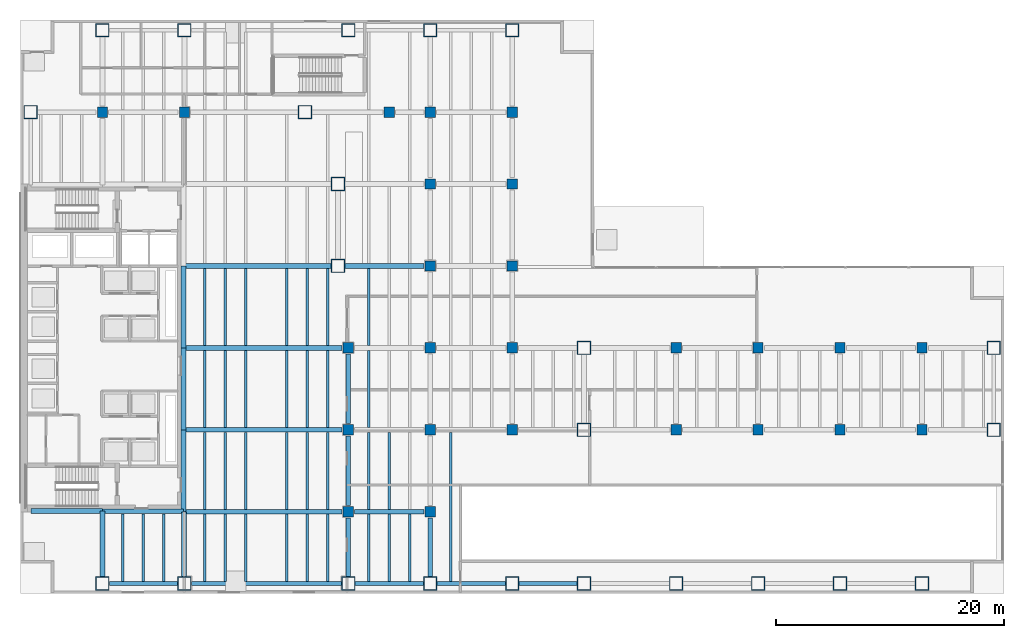
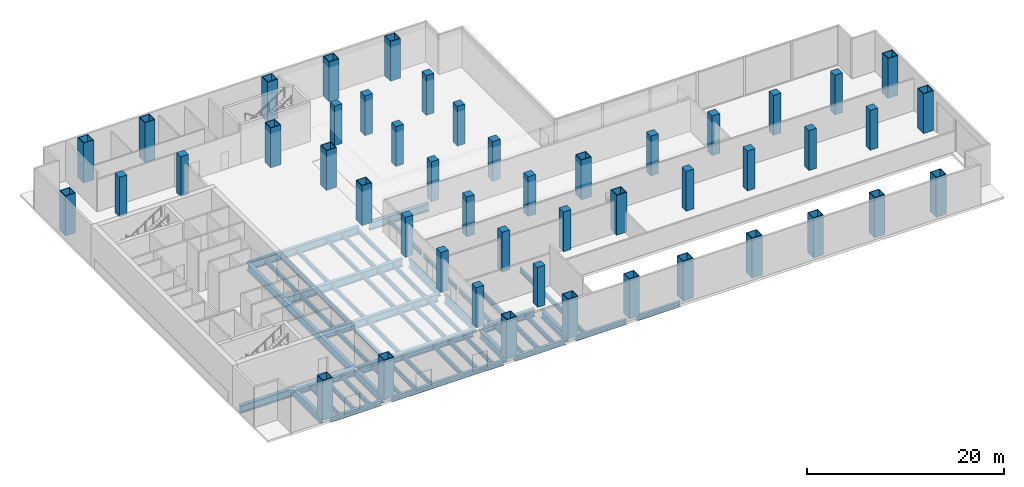
# One storey, part 1 of 17: 57 beams, 48 columns.
"""IFC4 building model written with IfcOpenShell, lengths in metres."""

from ifc_helpers import new_model, si_unit, direction, frame, origin, origin_2d, place, context, subcontext, project, spatial, rectangle, hollow_rectangle, i_section, extrude, material, material_profile, profile_set, type_object, element, save


model = new_model("IFC4")

# Units and contexts
model_context = context("Model", 3, precision=1e-05, world=origin(), true_north=direction((0.0, 1.0)))
body_context = subcontext(model_context, "Body", "Model", "MODEL_VIEW")
ifc_project = project(units=[si_unit("LENGTHUNIT", "METRE"), si_unit("AREAUNIT", "SQUARE_METRE"), si_unit("VOLUMEUNIT", "CUBIC_METRE"), si_unit("PLANEANGLEUNIT", "RADIAN"), si_unit("MASSUNIT", "GRAM", prefix="KILO")], contexts=[model_context])

# Site, building, storey
site_placement = place(None, origin())
site = spatial("IfcSite", under=ifc_project, at=site_placement, CompositionType="ELEMENT")
building_placement = place(site_placement, origin())
building = spatial("IfcBuilding", under=site, at=building_placement, Name="Cobrela Telecom Tower", CompositionType="ELEMENT")
storey_placement = place(building_placement, origin())
storey = spatial("IfcBuildingStorey", under=building, at=storey_placement, Name="L00", CompositionType="ELEMENT", Elevation=0.0)

# Columns
ifc_material_1 = material(Name="Concrete C40/50", Category="concrete")
ifc_material_profile_1 = material_profile(ifc_material_1, rectangle(XDim=0.89990234375, YDim=0.89990234375, at=origin_2d()), Name="RC 900x900")
ifc_profile_set_1 = profile_set([ifc_material_profile_1], Name="Concrete C40/50")
column_type_1 = type_object("IfcColumnType", Name="COL-INT-02", PredefinedType="COLUMN", material=ifc_profile_set_1)
for number, where, z_axis, x_axis, name in (
    (1, (7.199951171875, 42.300048828125, 0.0), (0.0, 0.0, 1.0), (1.0, 0.0, 0.0), "L00 Interior Column 03"),
    (2, (14.39990234375, 42.300048828125, 0.0), (0.0, 0.0, 1.0), (1.0, 0.0, 0.0), "L00 Interior Column 06"),
    (3, (28.800048828125, 7.199951171875, 0.0), (0.0, 0.0, 1.0), (1.0, 0.0, 0.0), "L00 Interior Column 12"),
    (4, (28.800048828125, 14.39990234375, 0.0), (0.0, 0.0, 1.0), (1.0, 0.0, 0.0), "L00 Interior Column 13"),
    (5, (28.800048828125, 21.60009765625, 0.0), (0.0, 0.0, 1.0), (1.0, 0.0, 0.0), "L00 Interior Column 14"),
    (6, (32.39990234375, 42.300048828125, 0.0), (0.0, 0.0, 1.0), (1.0, 0.0, 0.0), "L00 Interior Column 16"),
    (7, (36.0, 7.199951171875, 0.0), (0.0, 0.0, 1.0), (1.0, 0.0, 0.0), "L00 Interior Column 18"),
    (8, (36.0, 14.39990234375, 0.0), (0.0, 0.0, 1.0), (1.0, 0.0, 0.0), "L00 Interior Column 19"),
    (9, (36.0, 21.60009765625, 0.0), (0.0, 0.0, 1.0), (1.0, 0.0, 0.0), "L00 Interior Column 20"),
    (10, (36.0, 28.800048828125, 0.0), (0.0, 0.0, 1.0), (1.0, 0.0, 0.0), "L00 Interior Column 21"),
    (11, (36.0, 36.0, 0.0), (0.0, 0.0, 1.0), (1.0, 0.0, 0.0), "L00 Interior Column 22"),
    (12, (36.0, 42.300048828125, 0.0), (0.0, 0.0, 1.0), (1.0, 0.0, 0.0), "L00 Interior Column 23"),
    (13, (43.199951171875, 14.39990234375, 0.0), (0.0, 0.0, 1.0), (1.0, 0.0, 0.0), "L00 Interior Column 26"),
    (14, (43.199951171875, 21.60009765625, 0.0), (0.0, 0.0, 1.0), (1.0, 0.0, 0.0), "L00 Interior Column 27"),
    (15, (43.199951171875, 28.800048828125, 0.0), (0.0, 0.0, 1.0), (1.0, 0.0, 0.0), "L00 Interior Column 28"),
    (16, (43.199951171875, 36.0, 0.0), (0.0, 0.0, 1.0), (1.0, 0.0, 0.0), "L00 Interior Column 29"),
    (17, (43.199951171875, 42.300048828125, 0.0), (0.0, 0.0, 1.0), (1.0, 0.0, 0.0), "L00 Interior Column 30"),
    (18, (57.60009765625, 14.39990234375, 0.0), (0.0, 0.0, 1.0), (1.0, 0.0, 0.0), "L00 Interior Column 36"),
    (19, (57.60009765625, 21.60009765625, 0.0), (0.0, 0.0, 1.0), (1.0, 0.0, 0.0), "L00 Interior Column 37"),
    (20, (64.800048828125, 14.39990234375, 0.0), (0.0, 0.0, 1.0), (1.0, 0.0, 0.0), "L00 Interior Column 39"),
    (21, (64.800048828125, 21.60009765625, 0.0), (0.0, 0.0, 1.0), (1.0, 0.0, 0.0), "L00 Interior Column 40"),
    (22, (72.0, 14.39990234375, 0.0), (0.0, 0.0, 1.0), (1.0, 0.0, 0.0), "L00 Interior Column 42"),
    (23, (72.0, 21.60009765625, 0.0), (0.0, 0.0, 1.0), (1.0, 0.0, 0.0), "L00 Interior Column 43"),
    (24, (79.199951171875, 14.39990234375, 0.0), (0.0, 0.0, 1.0), (1.0, 0.0, 0.0), "L00 Interior Column 45"),
    (25, (79.199951171875, 21.60009765625, 0.0), (0.0, 0.0, 1.0), (1.0, 0.0, 0.0), "L00 Interior Column 46"),
):
    element("IfcColumn", number, at=place(storey_placement, frame(where, z_axis=z_axis, x_axis=x_axis)), inside=storey, type_object=column_type_1, Name=name, PredefinedType="COLUMN", context=body_context, shape_type="SweptSolid", body=[
        extrude(rectangle(XDim=0.89990234375, YDim=0.89990234375, at=origin_2d()), origin(), (0.0, 0.0, 1.0), 4.949951171875),
    ])
ifc_material_2 = material(Name="Steel ASTM A572 Grade 50", Category="steel")
ifc_material_profile_2 = material_profile(ifc_material_2, hollow_rectangle(XDim=1.199951171875, YDim=1.199951171875, WallThickness=0.074951171875, at=origin_2d()), Name="BOX 1200x1200x75")
ifc_profile_set_2 = profile_set([ifc_material_profile_2], Name="Steel ASTM A572 Grade 50")
column_type_2 = type_object("IfcColumnType", Name="COL-MEGA-01", PredefinedType="COLUMN", material=ifc_profile_set_2)
for number, where, z_axis, x_axis, name in (
    (26, (0.89990234375, 42.300048828125, 0.0), (0.0, 0.0, 1.0), (1.0, 0.0, 0.0), "L00 Perimeter Mega-Column 01"),
    (27, (7.199951171875, 0.89990234375, 0.0), (0.0, 0.0, 1.0), (1.0, 0.0, 0.0), "L00 Perimeter Mega-Column 02"),
    (28, (7.199951171875, 49.5, 0.0), (0.0, 0.0, 1.0), (1.0, 0.0, 0.0), "L00 Perimeter Mega-Column 04"),
    (29, (14.39990234375, 0.89990234375, 0.0), (0.0, 0.0, 1.0), (1.0, 0.0, 0.0), "L00 Perimeter Mega-Column 05"),
    (30, (14.39990234375, 49.5, 0.0), (0.0, 0.0, 1.0), (1.0, 0.0, 0.0), "L00 Perimeter Mega-Column 07"),
    (31, (25.0, 42.300048828125, 0.0), (0.0, 0.0, 1.0), (1.0, 0.0, 0.0), "L00 Perimeter Mega-Column 08"),
    (32, (27.89990234375, 28.800048828125, 0.0), (0.0, 0.0, 1.0), (1.0, 0.0, 0.0), "L00 Perimeter Mega-Column 09"),
    (33, (27.89990234375, 36.0, 0.0), (0.0, 0.0, 1.0), (1.0, 0.0, 0.0), "L00 Perimeter Mega-Column 10"),
    (34, (28.800048828125, 0.89990234375, 0.0), (0.0, 0.0, 1.0), (1.0, 0.0, 0.0), "L00 Perimeter Mega-Column 11"),
    (35, (28.800048828125, 49.5, 0.0), (0.0, 0.0, 1.0), (1.0, 0.0, 0.0), "L00 Perimeter Mega-Column 15"),
    (36, (36.0, 0.89990234375, 0.0), (0.0, 0.0, 1.0), (1.0, 0.0, 0.0), "L00 Perimeter Mega-Column 17"),
    (37, (36.0, 49.5, 0.0), (0.0, 0.0, 1.0), (1.0, 0.0, 0.0), "L00 Perimeter Mega-Column 24"),
    (38, (43.199951171875, 0.89990234375, 0.0), (0.0, 0.0, 1.0), (1.0, 0.0, 0.0), "L00 Perimeter Mega-Column 25"),
    (39, (43.199951171875, 49.5, 0.0), (0.0, 0.0, 1.0), (1.0, 0.0, 0.0), "L00 Perimeter Mega-Column 31"),
    (40, (49.5, 0.89990234375, 0.0), (0.0, 0.0, 1.0), (1.0, 0.0, 0.0), "L00 Perimeter Mega-Column 32"),
    (41, (49.5, 14.39990234375, 0.0), (0.0, 0.0, 1.0), (1.0, 0.0, 0.0), "L00 Perimeter Mega-Column 33"),
    (42, (49.5, 21.60009765625, 0.0), (0.0, 0.0, 1.0), (1.0, 0.0, 0.0), "L00 Perimeter Mega-Column 34"),
    (43, (57.60009765625, 0.89990234375, 0.0), (0.0, 0.0, 1.0), (1.0, 0.0, 0.0), "L00 Perimeter Mega-Column 35"),
    (44, (64.800048828125, 0.89990234375, 0.0), (0.0, 0.0, 1.0), (1.0, 0.0, 0.0), "L00 Perimeter Mega-Column 38"),
    (45, (72.0, 0.89990234375, 0.0), (0.0, 0.0, 1.0), (1.0, 0.0, 0.0), "L00 Perimeter Mega-Column 41"),
    (46, (79.199951171875, 0.89990234375, 0.0), (0.0, 0.0, 1.0), (1.0, 0.0, 0.0), "L00 Perimeter Mega-Column 44"),
    (47, (85.5, 14.39990234375, 0.0), (0.0, 0.0, 1.0), (1.0, 0.0, 0.0), "L00 Perimeter Mega-Column 47"),
    (48, (85.5, 21.60009765625, 0.0), (0.0, 0.0, 1.0), (1.0, 0.0, 0.0), "L00 Perimeter Mega-Column 48"),
):
    element("IfcColumn", number, at=place(storey_placement, frame(where, z_axis=z_axis, x_axis=x_axis)), inside=storey, type_object=column_type_2, Name=name, PredefinedType="COLUMN", context=body_context, shape_type="SweptSolid", body=[
        extrude(hollow_rectangle(XDim=1.199951171875, YDim=1.199951171875, WallThickness=0.074951171875, at=origin_2d()), origin(), (0.0, 0.0, 1.0), 4.949951171875),
    ])

# Beams
ifc_material_3 = material(Name="Steel ASTM A992 Grade 50", Category="steel")
ifc_material_profile_3 = material_profile(ifc_material_3, i_section(OverallWidth=0.424072265625, OverallDepth=0.947021484375, WebThickness=0.02392578125, FlangeThickness=0.042724609375, FilletRadius=0.02392578125, at=origin_2d()), Name="W36X302")
ifc_profile_set_3 = profile_set([ifc_material_profile_3], Name="Steel ASTM A992 Grade 50")
beam_type_1 = type_object("IfcBeamType", Name="BM-GIRD-01", PredefinedType="USERDEFINED", material=ifc_profile_set_3)
beam_1_placement = place(storey_placement, frame((0.905029296875, 7.280029296875, -0.7734375), z_axis=(1.0, 0.0, 0.0), x_axis=(0.0, 1.0, 0.0)))
element("IfcBeam", 49, at=beam_1_placement, inside=storey, type_object=beam_type_1, Name="L00 Primary Girder X10", ObjectType="GIRDER", PredefinedType="USERDEFINED", context=body_context, shape_type="SweptSolid", body=[
    extrude(i_section(OverallWidth=0.424072265625, OverallDepth=0.947021484375, WebThickness=0.02392578125, FlangeThickness=0.042724609375, FilletRadius=0.02392578125, at=origin_2d()), origin(), (0.0, 0.0, 1.0), 6.2900390625),
])
beam_2_placement = place(storey_placement, frame((7.205078125, 7.239990234375, -0.7734375), z_axis=(1.0, 0.0, 0.0), x_axis=(0.0, 1.0, 0.0)))
element("IfcBeam", 50, at=beam_2_placement, inside=storey, type_object=beam_type_1, Name="L00 Primary Girder X11", ObjectType="GIRDER", PredefinedType="USERDEFINED", context=body_context, shape_type="SweptSolid", body=[
    extrude(i_section(OverallWidth=0.424072265625, OverallDepth=0.947021484375, WebThickness=0.02392578125, FlangeThickness=0.042724609375, FilletRadius=0.02392578125, at=origin_2d()), origin(), (0.0, 0.0, 1.0), 7.10986328125),
])
beam_3_placement = place(storey_placement, frame((14.324951171875, 7.199951171875, -0.7734375), z_axis=(1.0, 0.0, 0.0), x_axis=(0.0, 1.0, 0.0)))
element("IfcBeam", 51, at=beam_3_placement, inside=storey, type_object=beam_type_1, Name="L00 Primary Girder X12", ObjectType="GIRDER", PredefinedType="USERDEFINED", context=body_context, shape_type="SweptSolid", body=[
    extrude(i_section(OverallWidth=0.424072265625, OverallDepth=0.947021484375, WebThickness=0.02392578125, FlangeThickness=0.042724609375, FilletRadius=0.02392578125, at=origin_2d()), origin(), (0.0, 0.0, 1.0), 13.920166015625),
])
beam_4_placement = place(storey_placement, frame((29.35498046875, 7.199951171875, -0.7734375), z_axis=(1.0, 0.0, 0.0), x_axis=(0.0, 1.0, 0.0)))
element("IfcBeam", 52, at=beam_4_placement, inside=storey, type_object=beam_type_1, Name="L00 Primary Girder X13", ObjectType="GIRDER", PredefinedType="USERDEFINED", context=body_context, shape_type="SweptSolid", body=[
    extrude(i_section(OverallWidth=0.424072265625, OverallDepth=0.947021484375, WebThickness=0.02392578125, FlangeThickness=0.042724609375, FilletRadius=0.02392578125, at=origin_2d()), origin(), (0.0, 0.0, 1.0), 6.090087890625),
])
for number, where, z_axis, x_axis, name in (
    (53, (14.324951171875, 14.39990234375, -0.7734375), (1.0, 0.0, 0.0), (0.0, 1.0, 0.0), "L00 Primary Girder X14"),
    (54, (14.324951171875, 21.60009765625, -0.7734375), (1.0, 0.0, 0.0), (0.0, 1.0, 0.0), "L00 Primary Girder X23"),
):
    element("IfcBeam", number, at=place(storey_placement, frame(where, z_axis=z_axis, x_axis=x_axis)), inside=storey, type_object=beam_type_1, Name=name, ObjectType="GIRDER", PredefinedType="USERDEFINED", context=body_context, shape_type="SweptSolid", body=[
        extrude(i_section(OverallWidth=0.424072265625, OverallDepth=0.947021484375, WebThickness=0.02392578125, FlangeThickness=0.042724609375, FilletRadius=0.02392578125, at=origin_2d()), origin(), (0.0, 0.0, 1.0), 13.920166015625),
    ])
beam_5_placement = place(storey_placement, frame((14.324951171875, 28.800048828125, -0.7734375), z_axis=(1.0, 0.0, 0.0), x_axis=(0.0, 1.0, 0.0)))
element("IfcBeam", 55, at=beam_5_placement, inside=storey, type_object=beam_type_1, Name="L00 Primary Girder X32", ObjectType="GIRDER", PredefinedType="USERDEFINED", context=body_context, shape_type="SweptSolid", body=[
    extrude(i_section(OverallWidth=0.424072265625, OverallDepth=0.947021484375, WebThickness=0.02392578125, FlangeThickness=0.042724609375, FilletRadius=0.02392578125, at=origin_2d()), origin(), (0.0, 0.0, 1.0), 12.969970703125),
])
beam_6_placement = place(storey_placement, frame((28.5048828125, 28.800048828125, -0.7734375), z_axis=(1.0, 0.0, 0.0), x_axis=(0.0, 1.0, 0.0)))
element("IfcBeam", 56, at=beam_6_placement, inside=storey, type_object=beam_type_1, Name="L00 Primary Girder X33", ObjectType="GIRDER", PredefinedType="USERDEFINED", context=body_context, shape_type="SweptSolid", body=[
    extrude(i_section(OverallWidth=0.424072265625, OverallDepth=0.947021484375, WebThickness=0.02392578125, FlangeThickness=0.042724609375, FilletRadius=0.02392578125, at=origin_2d()), origin(), (0.0, 0.0, 1.0), 6.940185546875),
])
beam_7_placement = place(storey_placement, frame((7.199951171875, 1.5048828125, -0.7734375), z_axis=(0.0, 1.0, 0.0), x_axis=(-1.0, 0.0, 0.0)))
element("IfcBeam", 57, at=beam_7_placement, inside=storey, type_object=beam_type_1, Name="L00 Primary Girder Y51", ObjectType="GIRDER", PredefinedType="USERDEFINED", context=body_context, shape_type="SweptSolid", body=[
    extrude(i_section(OverallWidth=0.424072265625, OverallDepth=0.947021484375, WebThickness=0.02392578125, FlangeThickness=0.042724609375, FilletRadius=0.02392578125, at=origin_2d()), origin(), (0.0, 0.0, 1.0), 5.77001953125),
])
beam_8_placement = place(storey_placement, frame((14.360107421875, 1.5048828125, -0.7734375), z_axis=(0.0, 1.0, 0.0), x_axis=(-1.0, 0.0, 0.0)))
element("IfcBeam", 58, at=beam_8_placement, inside=storey, type_object=beam_type_1, Name="L00 Primary Girder Y54", ObjectType="GIRDER", PredefinedType="USERDEFINED", context=body_context, shape_type="SweptSolid", body=[
    extrude(i_section(OverallWidth=0.424072265625, OverallDepth=0.947021484375, WebThickness=0.02392578125, FlangeThickness=0.042724609375, FilletRadius=0.02392578125, at=origin_2d()), origin(), (0.0, 0.0, 1.0), 5.690185546875),
])
for number, where, z_axis, x_axis, name in (
    (59, (14.320068359375, 7.205078125, -0.7734375), (0.0, 1.0, 0.0), (-1.0, 0.0, 0.0), "L00 Primary Girder Y55"),
    (60, (14.320068359375, 14.405029296875, -0.7734375), (0.0, 1.0, 0.0), (-1.0, 0.0, 0.0), "L00 Primary Girder Y56"),
    (61, (14.320068359375, 21.60498046875, -0.7734375), (0.0, 1.0, 0.0), (-1.0, 0.0, 0.0), "L00 Primary Girder Y57"),
):
    element("IfcBeam", number, at=place(storey_placement, frame(where, z_axis=z_axis, x_axis=x_axis)), inside=storey, type_object=beam_type_1, Name=name, ObjectType="GIRDER", PredefinedType="USERDEFINED", context=body_context, shape_type="SweptSolid", body=[
        extrude(i_section(OverallWidth=0.424072265625, OverallDepth=0.947021484375, WebThickness=0.02392578125, FlangeThickness=0.042724609375, FilletRadius=0.02392578125, at=origin_2d()), origin(), (0.0, 0.0, 1.0), 7.18994140625),
    ])
beam_9_placement = place(storey_placement, frame((28.800048828125, 1.5048828125, -0.7734375), z_axis=(0.0, 1.0, 0.0), x_axis=(-1.0, 0.0, 0.0)))
element("IfcBeam", 62, at=beam_9_placement, inside=storey, type_object=beam_type_1, Name="L00 Primary Girder Y62", ObjectType="GIRDER", PredefinedType="USERDEFINED", context=body_context, shape_type="SweptSolid", body=[
    extrude(i_section(OverallWidth=0.424072265625, OverallDepth=0.947021484375, WebThickness=0.02392578125, FlangeThickness=0.042724609375, FilletRadius=0.02392578125, at=origin_2d()), origin(), (0.0, 0.0, 1.0), 5.14013671875),
])
beam_10_placement = place(storey_placement, frame((28.800048828125, 7.7548828125, -0.7734375), z_axis=(0.0, 1.0, 0.0), x_axis=(-1.0, 0.0, 0.0)))
element("IfcBeam", 63, at=beam_10_placement, inside=storey, type_object=beam_type_1, Name="L00 Primary Girder Y63", ObjectType="GIRDER", PredefinedType="USERDEFINED", context=body_context, shape_type="SweptSolid", body=[
    extrude(i_section(OverallWidth=0.424072265625, OverallDepth=0.947021484375, WebThickness=0.02392578125, FlangeThickness=0.042724609375, FilletRadius=0.02392578125, at=origin_2d()), origin(), (0.0, 0.0, 1.0), 6.090087890625),
])
beam_11_placement = place(storey_placement, frame((28.800048828125, 14.955078125, -0.7734375), z_axis=(0.0, 1.0, 0.0), x_axis=(-1.0, 0.0, 0.0)))
element("IfcBeam", 64, at=beam_11_placement, inside=storey, type_object=beam_type_1, Name="L00 Primary Girder Y64", ObjectType="GIRDER", PredefinedType="USERDEFINED", context=body_context, shape_type="SweptSolid", body=[
    extrude(i_section(OverallWidth=0.424072265625, OverallDepth=0.947021484375, WebThickness=0.02392578125, FlangeThickness=0.042724609375, FilletRadius=0.02392578125, at=origin_2d()), origin(), (0.0, 0.0, 1.0), 6.08984375),
])
beam_12_placement = place(storey_placement, frame((36.0, 1.5048828125, -0.7734375), z_axis=(0.0, 1.0, 0.0), x_axis=(-1.0, 0.0, 0.0)))
element("IfcBeam", 65, at=beam_12_placement, inside=storey, type_object=beam_type_1, Name="L00 Primary Girder Y65", ObjectType="GIRDER", PredefinedType="USERDEFINED", context=body_context, shape_type="SweptSolid", body=[
    extrude(i_section(OverallWidth=0.424072265625, OverallDepth=0.947021484375, WebThickness=0.02392578125, FlangeThickness=0.042724609375, FilletRadius=0.02392578125, at=origin_2d()), origin(), (0.0, 0.0, 1.0), 5.14013671875),
])
ifc_material_profile_4 = material_profile(ifc_material_3, i_section(OverallWidth=0.212890625, OverallDepth=0.549072265625, WebThickness=0.0146484375, FlangeThickness=0.023681640625, FilletRadius=0.013916015625, at=origin_2d()), Name="W21X93")
ifc_profile_set_4 = profile_set([ifc_material_profile_4], Name="Steel ASTM A992 Grade 50")
beam_type_2 = type_object("IfcBeamType", Name="BM-JOIST-01", PredefinedType="JOIST", material=ifc_profile_set_4)
for number, where, z_axis, x_axis, name in (
    (66, (9.0, 1.069091796875, -0.574462890625), (0.0, 1.0, 0.0), (-1.0, 0.0, 0.0), "L00 Secondary Composite Floor Beam J04"),
    (67, (10.800048828125, 1.069091796875, -0.574462890625), (0.0, 1.0, 0.0), (-1.0, 0.0, 0.0), "L00 Secondary Composite Floor Beam J07"),
    (68, (12.60009765625, 1.069091796875, -0.574462890625), (0.0, 1.0, 0.0), (-1.0, 0.0, 0.0), "L00 Secondary Composite Floor Beam J10"),
):
    element("IfcBeam", number, at=place(storey_placement, frame(where, z_axis=z_axis, x_axis=x_axis)), inside=storey, type_object=beam_type_2, Name=name, PredefinedType="JOIST", context=body_context, shape_type="SweptSolid", body=[
        extrude(i_section(OverallWidth=0.212890625, OverallDepth=0.549072265625, WebThickness=0.0146484375, FlangeThickness=0.023681640625, FilletRadius=0.013916015625, at=origin_2d()), origin(), (0.0, 0.0, 1.0), 5.953857421875),
    ])
beam_13_placement = place(storey_placement, frame((16.199951171875, 1.069091796875, -0.574462890625), z_axis=(0.0, 1.0, 0.0), x_axis=(-1.0, 0.0, 0.0)))
element("IfcBeam", 69, at=beam_13_placement, inside=storey, type_object=beam_type_2, Name="L00 Secondary Composite Floor Beam J13", PredefinedType="JOIST", context=body_context, shape_type="SweptSolid", body=[
    extrude(i_section(OverallWidth=0.212890625, OverallDepth=0.549072265625, WebThickness=0.0146484375, FlangeThickness=0.023681640625, FilletRadius=0.013916015625, at=origin_2d()), origin(), (0.0, 0.0, 1.0), 5.913818359375),
])
for number, where, z_axis, x_axis, name in (
    (70, (16.199951171875, 7.4169921875, -0.574462890625), (0.0, 1.0, 0.0), (-1.0, 0.0, 0.0), "L00 Secondary Composite Floor Beam J14"),
    (71, (16.199951171875, 14.616943359375, -0.574462890625), (0.0, 1.0, 0.0), (-1.0, 0.0, 0.0), "L00 Secondary Composite Floor Beam J15"),
    (72, (16.199951171875, 21.81689453125, -0.574462890625), (0.0, 1.0, 0.0), (-1.0, 0.0, 0.0), "L00 Secondary Composite Floor Beam J16"),
):
    element("IfcBeam", number, at=place(storey_placement, frame(where, z_axis=z_axis, x_axis=x_axis)), inside=storey, type_object=beam_type_2, Name=name, PredefinedType="JOIST", context=body_context, shape_type="SweptSolid", body=[
        extrude(i_section(OverallWidth=0.212890625, OverallDepth=0.549072265625, WebThickness=0.0146484375, FlangeThickness=0.023681640625, FilletRadius=0.013916015625, at=origin_2d()), origin(), (0.0, 0.0, 1.0), 6.76611328125),
    ])
beam_14_placement = place(storey_placement, frame((18.0, 1.069091796875, -0.574462890625), z_axis=(0.0, 1.0, 0.0), x_axis=(-1.0, 0.0, 0.0)))
element("IfcBeam", 73, at=beam_14_placement, inside=storey, type_object=beam_type_2, Name="L00 Secondary Composite Floor Beam J20", PredefinedType="JOIST", context=body_context, shape_type="SweptSolid", body=[
    extrude(i_section(OverallWidth=0.212890625, OverallDepth=0.549072265625, WebThickness=0.0146484375, FlangeThickness=0.023681640625, FilletRadius=0.013916015625, at=origin_2d()), origin(), (0.0, 0.0, 1.0), 5.913818359375),
])
for number, where, z_axis, x_axis, name in (
    (74, (18.0, 7.4169921875, -0.574462890625), (0.0, 1.0, 0.0), (-1.0, 0.0, 0.0), "L00 Secondary Composite Floor Beam J21"),
    (75, (18.0, 14.616943359375, -0.574462890625), (0.0, 1.0, 0.0), (-1.0, 0.0, 0.0), "L00 Secondary Composite Floor Beam J22"),
    (76, (18.0, 21.81689453125, -0.574462890625), (0.0, 1.0, 0.0), (-1.0, 0.0, 0.0), "L00 Secondary Composite Floor Beam J23"),
):
    element("IfcBeam", number, at=place(storey_placement, frame(where, z_axis=z_axis, x_axis=x_axis)), inside=storey, type_object=beam_type_2, Name=name, PredefinedType="JOIST", context=body_context, shape_type="SweptSolid", body=[
        extrude(i_section(OverallWidth=0.212890625, OverallDepth=0.549072265625, WebThickness=0.0146484375, FlangeThickness=0.023681640625, FilletRadius=0.013916015625, at=origin_2d()), origin(), (0.0, 0.0, 1.0), 6.76611328125),
    ])
beam_15_placement = place(storey_placement, frame((19.800048828125, 1.069091796875, -0.574462890625), z_axis=(0.0, 1.0, 0.0), x_axis=(-1.0, 0.0, 0.0)))
element("IfcBeam", 77, at=beam_15_placement, inside=storey, type_object=beam_type_2, Name="L00 Secondary Composite Floor Beam J27", PredefinedType="JOIST", context=body_context, shape_type="SweptSolid", body=[
    extrude(i_section(OverallWidth=0.212890625, OverallDepth=0.549072265625, WebThickness=0.0146484375, FlangeThickness=0.023681640625, FilletRadius=0.013916015625, at=origin_2d()), origin(), (0.0, 0.0, 1.0), 5.913818359375),
])
for number, where, z_axis, x_axis, name in (
    (78, (19.800048828125, 7.4169921875, -0.574462890625), (0.0, 1.0, 0.0), (-1.0, 0.0, 0.0), "L00 Secondary Composite Floor Beam J28"),
    (79, (19.800048828125, 14.616943359375, -0.574462890625), (0.0, 1.0, 0.0), (-1.0, 0.0, 0.0), "L00 Secondary Composite Floor Beam J29"),
    (80, (19.800048828125, 21.81689453125, -0.574462890625), (0.0, 1.0, 0.0), (-1.0, 0.0, 0.0), "L00 Secondary Composite Floor Beam J30"),
):
    element("IfcBeam", number, at=place(storey_placement, frame(where, z_axis=z_axis, x_axis=x_axis)), inside=storey, type_object=beam_type_2, Name=name, PredefinedType="JOIST", context=body_context, shape_type="SweptSolid", body=[
        extrude(i_section(OverallWidth=0.212890625, OverallDepth=0.549072265625, WebThickness=0.0146484375, FlangeThickness=0.023681640625, FilletRadius=0.013916015625, at=origin_2d()), origin(), (0.0, 0.0, 1.0), 6.76611328125),
    ])
beam_16_placement = place(storey_placement, frame((23.39990234375, 1.069091796875, -0.574462890625), z_axis=(0.0, 1.0, 0.0), x_axis=(-1.0, 0.0, 0.0)))
element("IfcBeam", 81, at=beam_16_placement, inside=storey, type_object=beam_type_2, Name="L00 Secondary Composite Floor Beam J34", PredefinedType="JOIST", context=body_context, shape_type="SweptSolid", body=[
    extrude(i_section(OverallWidth=0.212890625, OverallDepth=0.549072265625, WebThickness=0.0146484375, FlangeThickness=0.023681640625, FilletRadius=0.013916015625, at=origin_2d()), origin(), (0.0, 0.0, 1.0), 5.913818359375),
])
for number, where, z_axis, x_axis, name in (
    (82, (23.39990234375, 7.4169921875, -0.574462890625), (0.0, 1.0, 0.0), (-1.0, 0.0, 0.0), "L00 Secondary Composite Floor Beam J35"),
    (83, (23.39990234375, 14.616943359375, -0.574462890625), (0.0, 1.0, 0.0), (-1.0, 0.0, 0.0), "L00 Secondary Composite Floor Beam J36"),
    (84, (23.39990234375, 21.81689453125, -0.574462890625), (0.0, 1.0, 0.0), (-1.0, 0.0, 0.0), "L00 Secondary Composite Floor Beam J37"),
):
    element("IfcBeam", number, at=place(storey_placement, frame(where, z_axis=z_axis, x_axis=x_axis)), inside=storey, type_object=beam_type_2, Name=name, PredefinedType="JOIST", context=body_context, shape_type="SweptSolid", body=[
        extrude(i_section(OverallWidth=0.212890625, OverallDepth=0.549072265625, WebThickness=0.0146484375, FlangeThickness=0.023681640625, FilletRadius=0.013916015625, at=origin_2d()), origin(), (0.0, 0.0, 1.0), 6.76611328125),
    ])
beam_17_placement = place(storey_placement, frame((25.199951171875, 1.069091796875, -0.574462890625), z_axis=(0.0, 1.0, 0.0), x_axis=(-1.0, 0.0, 0.0)))
element("IfcBeam", 85, at=beam_17_placement, inside=storey, type_object=beam_type_2, Name="L00 Secondary Composite Floor Beam J40", PredefinedType="JOIST", context=body_context, shape_type="SweptSolid", body=[
    extrude(i_section(OverallWidth=0.212890625, OverallDepth=0.549072265625, WebThickness=0.0146484375, FlangeThickness=0.023681640625, FilletRadius=0.013916015625, at=origin_2d()), origin(), (0.0, 0.0, 1.0), 5.913818359375),
])
for number, where, z_axis, x_axis, name in (
    (86, (25.199951171875, 7.4169921875, -0.574462890625), (0.0, 1.0, 0.0), (-1.0, 0.0, 0.0), "L00 Secondary Composite Floor Beam J41"),
    (87, (25.199951171875, 14.616943359375, -0.574462890625), (0.0, 1.0, 0.0), (-1.0, 0.0, 0.0), "L00 Secondary Composite Floor Beam J42"),
    (88, (25.199951171875, 21.81689453125, -0.574462890625), (0.0, 1.0, 0.0), (-1.0, 0.0, 0.0), "L00 Secondary Composite Floor Beam J43"),
):
    element("IfcBeam", number, at=place(storey_placement, frame(where, z_axis=z_axis, x_axis=x_axis)), inside=storey, type_object=beam_type_2, Name=name, PredefinedType="JOIST", context=body_context, shape_type="SweptSolid", body=[
        extrude(i_section(OverallWidth=0.212890625, OverallDepth=0.549072265625, WebThickness=0.0146484375, FlangeThickness=0.023681640625, FilletRadius=0.013916015625, at=origin_2d()), origin(), (0.0, 0.0, 1.0), 6.76611328125),
    ])
beam_18_placement = place(storey_placement, frame((27.0, 1.069091796875, -0.574462890625), z_axis=(0.0, 1.0, 0.0), x_axis=(-1.0, 0.0, 0.0)))
element("IfcBeam", 89, at=beam_18_placement, inside=storey, type_object=beam_type_2, Name="L00 Secondary Composite Floor Beam J45", PredefinedType="JOIST", context=body_context, shape_type="SweptSolid", body=[
    extrude(i_section(OverallWidth=0.212890625, OverallDepth=0.549072265625, WebThickness=0.0146484375, FlangeThickness=0.023681640625, FilletRadius=0.013916015625, at=origin_2d()), origin(), (0.0, 0.0, 1.0), 5.913818359375),
])
for number, where, z_axis, x_axis, name in (
    (90, (27.0, 7.4169921875, -0.574462890625), (0.0, 1.0, 0.0), (-1.0, 0.0, 0.0), "L00 Secondary Composite Floor Beam J46"),
    (91, (27.0, 14.616943359375, -0.574462890625), (0.0, 1.0, 0.0), (-1.0, 0.0, 0.0), "L00 Secondary Composite Floor Beam J47"),
    (92, (27.0, 21.81689453125, -0.574462890625), (0.0, 1.0, 0.0), (-1.0, 0.0, 0.0), "L00 Secondary Composite Floor Beam J48"),
):
    element("IfcBeam", number, at=place(storey_placement, frame(where, z_axis=z_axis, x_axis=x_axis)), inside=storey, type_object=beam_type_2, Name=name, PredefinedType="JOIST", context=body_context, shape_type="SweptSolid", body=[
        extrude(i_section(OverallWidth=0.212890625, OverallDepth=0.549072265625, WebThickness=0.0146484375, FlangeThickness=0.023681640625, FilletRadius=0.013916015625, at=origin_2d()), origin(), (0.0, 0.0, 1.0), 6.76611328125),
    ])
beam_19_placement = place(storey_placement, frame((30.60009765625, 1.069091796875, -0.574462890625), z_axis=(0.0, 1.0, 0.0), x_axis=(-1.0, 0.0, 0.0)))
element("IfcBeam", 93, at=beam_19_placement, inside=storey, type_object=beam_type_2, Name="L00 Secondary Composite Floor Beam J51", PredefinedType="JOIST", context=body_context, shape_type="SweptSolid", body=[
    extrude(i_section(OverallWidth=0.212890625, OverallDepth=0.549072265625, WebThickness=0.0146484375, FlangeThickness=0.023681640625, FilletRadius=0.013916015625, at=origin_2d()), origin(), (0.0, 0.0, 1.0), 5.913818359375),
])
for number, where, z_axis, x_axis, name in (
    (94, (30.60009765625, 7.4169921875, -0.574462890625), (0.0, 1.0, 0.0), (-1.0, 0.0, 0.0), "L00 Secondary Composite Floor Beam J52"),
    (95, (30.60009765625, 14.616943359375, -0.574462890625), (0.0, 1.0, 0.0), (-1.0, 0.0, 0.0), "L00 Secondary Composite Floor Beam J53"),
    (96, (30.60009765625, 21.81689453125, -0.574462890625), (0.0, 1.0, 0.0), (-1.0, 0.0, 0.0), "L00 Secondary Composite Floor Beam J54"),
):
    element("IfcBeam", number, at=place(storey_placement, frame(where, z_axis=z_axis, x_axis=x_axis)), inside=storey, type_object=beam_type_2, Name=name, PredefinedType="JOIST", context=body_context, shape_type="SweptSolid", body=[
        extrude(i_section(OverallWidth=0.212890625, OverallDepth=0.549072265625, WebThickness=0.0146484375, FlangeThickness=0.023681640625, FilletRadius=0.013916015625, at=origin_2d()), origin(), (0.0, 0.0, 1.0), 6.76611328125),
    ])
beam_20_placement = place(storey_placement, frame((32.39990234375, 1.069091796875, -0.574462890625), z_axis=(0.0, 1.0, 0.0), x_axis=(-1.0, 0.0, 0.0)))
element("IfcBeam", 97, at=beam_20_placement, inside=storey, type_object=beam_type_2, Name="L00 Secondary Composite Floor Beam J58", PredefinedType="JOIST", context=body_context, shape_type="SweptSolid", body=[
    extrude(i_section(OverallWidth=0.212890625, OverallDepth=0.549072265625, WebThickness=0.0146484375, FlangeThickness=0.023681640625, FilletRadius=0.013916015625, at=origin_2d()), origin(), (0.0, 0.0, 1.0), 5.913818359375),
])
beam_21_placement = place(storey_placement, frame((32.39990234375, 7.4169921875, -0.574462890625), z_axis=(0.0, 1.0, 0.0), x_axis=(-1.0, 0.0, 0.0)))
element("IfcBeam", 98, at=beam_21_placement, inside=storey, type_object=beam_type_2, Name="L00 Secondary Composite Floor Beam J59", PredefinedType="JOIST", context=body_context, shape_type="SweptSolid", body=[
    extrude(i_section(OverallWidth=0.212890625, OverallDepth=0.549072265625, WebThickness=0.0146484375, FlangeThickness=0.023681640625, FilletRadius=0.013916015625, at=origin_2d()), origin(), (0.0, 0.0, 1.0), 6.76611328125),
])
beam_22_placement = place(storey_placement, frame((34.199951171875, 1.069091796875, -0.574462890625), z_axis=(0.0, 1.0, 0.0), x_axis=(-1.0, 0.0, 0.0)))
element("IfcBeam", 99, at=beam_22_placement, inside=storey, type_object=beam_type_2, Name="L00 Secondary Composite Floor Beam J63", PredefinedType="JOIST", context=body_context, shape_type="SweptSolid", body=[
    extrude(i_section(OverallWidth=0.212890625, OverallDepth=0.549072265625, WebThickness=0.0146484375, FlangeThickness=0.023681640625, FilletRadius=0.013916015625, at=origin_2d()), origin(), (0.0, 0.0, 1.0), 5.913818359375),
])
beam_23_placement = place(storey_placement, frame((37.800048828125, 1.069091796875, -0.574462890625), z_axis=(0.0, 1.0, 0.0), x_axis=(-1.0, 0.0, 0.0)))
element("IfcBeam", 100, at=beam_23_placement, inside=storey, type_object=beam_type_2, Name="L00 Secondary Composite Floor Beam J70", PredefinedType="JOIST", context=body_context, shape_type="SweptSolid", body=[
    extrude(i_section(OverallWidth=0.212890625, OverallDepth=0.549072265625, WebThickness=0.0146484375, FlangeThickness=0.023681640625, FilletRadius=0.013916015625, at=origin_2d()), origin(), (0.0, 0.0, 1.0), 13.114013671875),
])
ifc_material_profile_5 = material_profile(ifc_material_3, i_section(OverallWidth=0.327880859375, OverallDepth=0.6220703125, WebThickness=0.015380859375, FlangeThickness=0.0244140625, FilletRadius=0.014892578125, at=origin_2d()), Name="W24X131")
ifc_profile_set_5 = profile_set([ifc_material_profile_5], Name="Steel ASTM A992 Grade 50")
beam_type_3 = type_object("IfcBeamType", Name="BM-SPAND-01", PredefinedType="SPANDREL", material=ifc_profile_set_5)
beam_24_placement = place(storey_placement, frame((7.804931640625, 0.89990234375, -0.611083984375), z_axis=(1.0, 0.0, 0.0), x_axis=(0.0, 1.0, 0.0)))
element("IfcBeam", 101, at=beam_24_placement, inside=storey, type_object=beam_type_3, Name="L00 Perimeter Spandrel X01", PredefinedType="SPANDREL", context=body_context, shape_type="SweptSolid", body=[
    extrude(i_section(OverallWidth=0.327880859375, OverallDepth=0.6220703125, WebThickness=0.015380859375, FlangeThickness=0.0244140625, FilletRadius=0.014892578125, at=origin_2d()), origin(), (0.0, 0.0, 1.0), 5.989990234375),
])
beam_25_placement = place(storey_placement, frame((15.0048828125, 0.89990234375, -0.611083984375), z_axis=(1.0, 0.0, 0.0), x_axis=(0.0, 1.0, 0.0)))
element("IfcBeam", 102, at=beam_25_placement, inside=storey, type_object=beam_type_3, Name="L00 Perimeter Spandrel X02", PredefinedType="SPANDREL", context=body_context, shape_type="SweptSolid", body=[
    extrude(i_section(OverallWidth=0.327880859375, OverallDepth=0.6220703125, WebThickness=0.015380859375, FlangeThickness=0.0244140625, FilletRadius=0.014892578125, at=origin_2d()), origin(), (0.0, 0.0, 1.0), 13.190185546875),
])
for number, where, z_axis, x_axis, name in (
    (103, (29.405029296875, 0.89990234375, -0.611083984375), (1.0, 0.0, 0.0), (0.0, 1.0, 0.0), "L00 Perimeter Spandrel X03"),
    (104, (36.60498046875, 0.89990234375, -0.611083984375), (1.0, 0.0, 0.0), (0.0, 1.0, 0.0), "L00 Perimeter Spandrel X04"),
):
    element("IfcBeam", number, at=place(storey_placement, frame(where, z_axis=z_axis, x_axis=x_axis)), inside=storey, type_object=beam_type_3, Name=name, PredefinedType="SPANDREL", context=body_context, shape_type="SweptSolid", body=[
        extrude(i_section(OverallWidth=0.327880859375, OverallDepth=0.6220703125, WebThickness=0.015380859375, FlangeThickness=0.0244140625, FilletRadius=0.014892578125, at=origin_2d()), origin(), (0.0, 0.0, 1.0), 5.989990234375),
    ])
beam_26_placement = place(storey_placement, frame((43.804931640625, 0.89990234375, -0.611083984375), z_axis=(1.0, 0.0, 0.0), x_axis=(0.0, 1.0, 0.0)))
element("IfcBeam", 105, at=beam_26_placement, inside=storey, type_object=beam_type_3, Name="L00 Perimeter Spandrel X05", PredefinedType="SPANDREL", context=body_context, shape_type="SweptSolid", body=[
    extrude(i_section(OverallWidth=0.327880859375, OverallDepth=0.6220703125, WebThickness=0.015380859375, FlangeThickness=0.0244140625, FilletRadius=0.014892578125, at=origin_2d()), origin(), (0.0, 0.0, 1.0), 5.090087890625),
])

save(model, "model.ifc")
